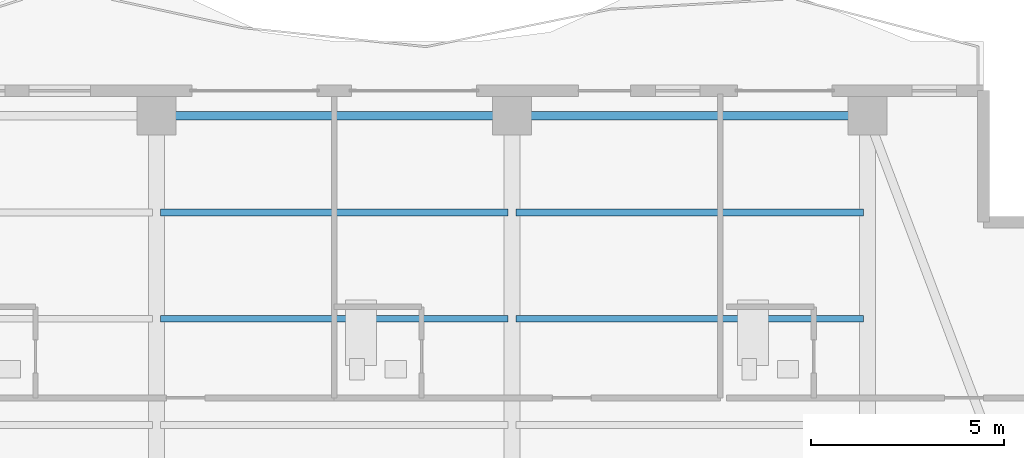
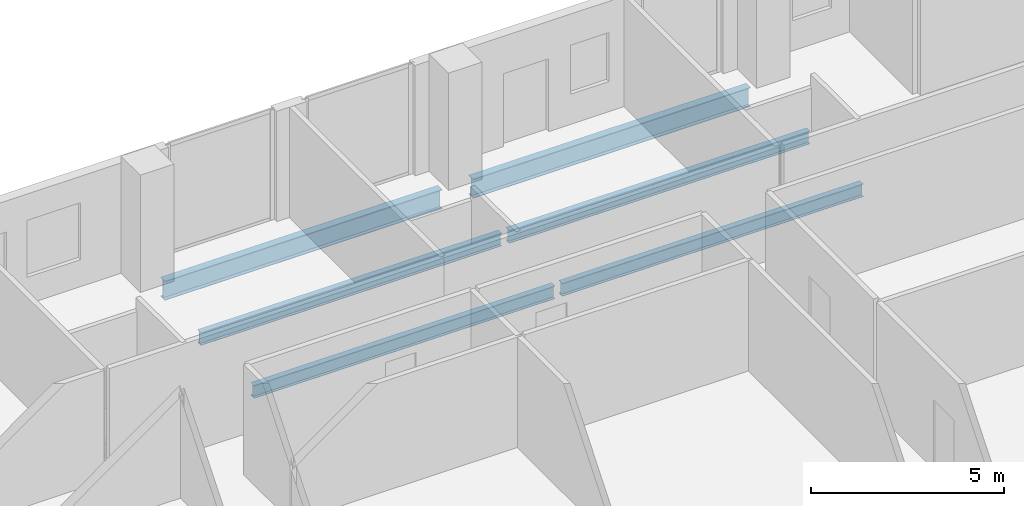
# One storey, part 14 of 25: 6 beams.
"""IFC4 building model written with IfcOpenShell, lengths in metres."""

import ifcopenshell
import ifcopenshell.guid

model = None  # the IFC model being written
_history = None  # IfcOwnerHistory: only IFC2X3 demands one
_inside = {}  # id of a spatial element -> (the spatial element, [elements in it])
_under = {}  # id of a project, library or spatial element -> (it, [spatial elements below it])
_declared = {}  # id of a project -> (the project, [libraries it declares])
_typed = {}  # id of a type object -> (the type object, [elements of that type])
_made_of = {}  # id of a material, layer set ... -> (it, [elements and type objects made of it])


def new_model(schema):
    """Start an empty IFC model of exactly this schema.

    Asked for "IFC4X3", IfcOpenShell would pick the latest addendum, in which some entities
    have other attributes; the version numbers below select the first issue.
    IFC2X3 requires an IfcOwnerHistory on every rooted entity: one is made here for all.
    """
    global model, _history
    if schema == "IFC4X3":
        model = ifcopenshell.file(schema_version=(4, 3, 0, 0))
    else:
        model = ifcopenshell.file(schema=schema)
    _inside.clear()
    _under.clear()
    _declared.clear()
    _typed.clear()
    _made_of.clear()
    _history = None
    if model.schema == "IFC2X3":
        org = make("IfcOrganization", Name="unknown")
        user = make(
            "IfcPersonAndOrganization",
            ThePerson=make("IfcPerson", FamilyName="unknown"),
            TheOrganization=org,
        )
        app = make(
            "IfcApplication",
            ApplicationDeveloper=org,
            Version="unknown",
            ApplicationFullName="unknown",
            ApplicationIdentifier="unknown",
        )
        _history = make(
            "IfcOwnerHistory",
            OwningUser=user,
            OwningApplication=app,
            ChangeAction="ADDED",
            CreationDate=0,
        )
    return model


def make(cls, **values):
    """One entity of the class cls with the attributes given. An attribute that is None is left unset."""
    return model.create_entity(
        cls, **{name: value for name, value in values.items() if value is not None}
    )


def rooted(cls, **values):
    """An entity with a GlobalId (a new one), such as an element, a storey or a relation."""
    return make(cls, GlobalId=ifcopenshell.guid.new(), OwnerHistory=_history, **values)


def si_unit(unit_type, name, prefix=None):
    """IfcSIUnit, for example si_unit("LENGTHUNIT", "METRE", prefix="MILLI")."""
    return make("IfcSIUnit", UnitType=unit_type, Prefix=prefix, Name=name)


def assignment(units):
    """IfcUnitAssignment: the units of a project."""
    return None if units is None else make("IfcUnitAssignment", Units=units)


def point(xyz):
    """IfcCartesianPoint."""
    return None if xyz is None else make("IfcCartesianPoint", Coordinates=xyz)


def direction(xyz):
    """IfcDirection."""
    return None if xyz is None else make("IfcDirection", DirectionRatios=xyz)


def frame(location, z_axis=None, x_axis=None):
    """IfcAxis2Placement3D, a coordinate frame: its origin and axes. An axis left out is left unset."""
    return make(
        "IfcAxis2Placement3D",
        Location=point(location),
        Axis=direction(z_axis),
        RefDirection=direction(x_axis),
    )


def frame_2d(location, x_axis=None):
    """IfcAxis2Placement2D, a coordinate frame in the plane: its origin and x axis."""
    return make(
        "IfcAxis2Placement2D", Location=point(location), RefDirection=direction(x_axis)
    )


def origin():
    """The frame at (0, 0, 0) with its axes left unset."""
    return frame((0.0, 0.0, 0.0))


def origin_2d():
    """The frame at (0, 0) in the plane with its x axis left unset."""
    return frame_2d((0.0, 0.0))


def place(relative_to, where):
    """IfcLocalPlacement: puts the frame where relative to a parent placement (None: the world)."""
    return make(
        "IfcLocalPlacement", PlacementRelTo=relative_to, RelativePlacement=where
    )


def context(
    kind, dimensions, precision=None, world=None, true_north=None, identifier=None
):
    """IfcGeometricRepresentationContext, for example the 3D "Model" context."""
    return make(
        "IfcGeometricRepresentationContext",
        ContextIdentifier=identifier,
        ContextType=kind,
        CoordinateSpaceDimension=dimensions,
        Precision=precision,
        WorldCoordinateSystem=world,
        TrueNorth=true_north,
    )


def subcontext(parent, identifier, kind, view, scale=None):
    """IfcGeometricRepresentationSubContext, for example "Body" below "Model"."""
    return make(
        "IfcGeometricRepresentationSubContext",
        ContextIdentifier=identifier,
        ContextType=kind,
        ParentContext=parent,
        TargetScale=scale,
        TargetView=view,
    )


def project(units=None, contexts=None):
    """IfcProject with its units and contexts."""
    return rooted(
        "IfcProject",
        Name="project",
        RepresentationContexts=contexts,
        UnitsInContext=assignment(units),
    )


def spatial(cls, under=None, at=None, **own):
    """A site, building, storey or space (cls), placed at a placement, below another one or the project."""
    s = rooted(cls, ObjectPlacement=at, **own)
    if under is not None:
        _under.setdefault(under.id(), (under, []))[1].append(s)
    return s


def profile(cls, at=None, kind="AREA", **sizes):
    """A parametric profile (cls). Its sizes go by their IFC names, for example OverallWidth=200.0."""
    return make(cls, ProfileType=kind, Position=at, **sizes)


def i_section(**sizes):
    """IfcIShapeProfileDef."""
    return profile("IfcIShapeProfileDef", **sizes)


def extrude(swept, where, along, depth):
    """IfcExtrudedAreaSolid: the profile swept, set in the frame where, extruded along a direction by depth."""
    return make(
        "IfcExtrudedAreaSolid",
        SweptArea=swept,
        Position=where,
        ExtrudedDirection=direction(along),
        Depth=depth,
    )


def shape(context_of_items, identifier, shape_type, items):
    """IfcShapeRepresentation: the items that make up one representation, for example the "Body"."""
    return make(
        "IfcShapeRepresentation",
        ContextOfItems=context_of_items,
        RepresentationIdentifier=identifier,
        RepresentationType=shape_type,
        Items=items,
    )


def material(Name=None, Category=None):
    """IfcMaterial."""
    return make("IfcMaterial", Name=Name, Category=Category)


def material_profile(
    of_material, cross_section, Name=None, Category=None, Priority=None
):
    """IfcMaterialProfile: a cross section and its material."""
    return make(
        "IfcMaterialProfile",
        Name=Name,
        Material=of_material,
        Profile=cross_section,
        Priority=Priority,
        Category=Category,
    )


def profile_set(profiles, Name=None, composite=None):
    """IfcMaterialProfileSet."""
    return make(
        "IfcMaterialProfileSet",
        Name=Name,
        MaterialProfiles=profiles,
        CompositeProfile=composite,
    )


def made_of(thing, what):
    """Note that an element or type object is made of a material, layer set ...; save() writes the relation."""
    if what is not None:
        _made_of.setdefault(what.id(), (what, []))[1].append(thing)
    return thing


def type_object(cls, material=None, **own):
    """A type object (cls), such as IfcWallType, which elements share."""
    return made_of(rooted(cls, **own), material)


def element(
    cls,
    number,
    at=None,
    inside=None,
    cuts=None,
    type_object=None,
    material=None,
    context=None,
    identifier="Body",
    shape_type=None,
    held_by="IfcProductDefinitionShape",
    body=None,
    shapes=None,
    **own,
):
    """One element of the class cls, such as IfcWall. Its Tag is "e" and its number.

    at: its placement. inside: the storey or other place that contains it. cuts: it is an
    opening in that element (IfcRelVoidsElement). A single representation is given by context,
    identifier, shape_type and body (its items); several are given by shapes. held_by: the class
    of the entity that holds the representations. save() writes the other relations.
    """
    e = rooted(cls, Tag="e%d" % number, ObjectPlacement=at, **own)
    if body is not None:
        shapes = [shape(context, identifier, shape_type, body)]
    if shapes is not None:
        e.Representation = make(held_by, Representations=shapes)
    if inside is not None:
        _inside.setdefault(inside.id(), (inside, []))[1].append(e)
    if cuts is not None:
        rooted(
            "IfcRelVoidsElement", RelatingBuildingElement=cuts, RelatedOpeningElement=e
        )
    if type_object is not None:
        _typed.setdefault(type_object.id(), (type_object, []))[1].append(e)
    return made_of(e, material)


def aggregate(whole, parts):
    """IfcRelAggregates: a whole, such as a stair, and the parts it consists of."""
    return rooted("IfcRelAggregates", RelatingObject=whole, RelatedObjects=parts)


def save(model, path):
    """Write the relations noted so far, then the file.

    IfcRelAggregates (storeys below a building ...), IfcRelContainedInSpatialStructure (elements
    in a storey), IfcRelDefinesByType, IfcRelAssociatesMaterial and IfcRelDeclares: one each for
    every whole, place, type object, material and project.
    """
    for whole, parts in _under.values():
        aggregate(whole, parts)
    for where, things in _inside.values():
        rooted(
            "IfcRelContainedInSpatialStructure",
            RelatedElements=things,
            RelatingStructure=where,
        )
    for kind, things in _typed.values():
        rooted("IfcRelDefinesByType", RelatedObjects=things, RelatingType=kind)
    for what, things in _made_of.values():
        rooted("IfcRelAssociatesMaterial", RelatedObjects=things, RelatingMaterial=what)
    for by, libraries in _declared.values():
        rooted("IfcRelDeclares", RelatingContext=by, RelatedDefinitions=libraries)
    model.write(path)


model = new_model("IFC4")

# Units and contexts
model_context = context("Model", 3, precision=1e-05, world=origin(), true_north=direction((0.0, 1.0)))
body_context = subcontext(model_context, "Body", "Model", "MODEL_VIEW")
ifc_project = project(units=[si_unit("LENGTHUNIT", "METRE"), si_unit("AREAUNIT", "SQUARE_METRE"), si_unit("VOLUMEUNIT", "CUBIC_METRE"), si_unit("PLANEANGLEUNIT", "RADIAN"), si_unit("MASSUNIT", "GRAM", prefix="KILO")], contexts=[model_context])

# Site, building, storey
site_placement = place(None, origin())
site = spatial("IfcSite", under=ifc_project, at=site_placement, CompositionType="ELEMENT")
building_placement = place(site_placement, origin())
building = spatial("IfcBuilding", under=site, at=building_placement, Name="Zuhayl Quay Hotel", CompositionType="ELEMENT")
storey_placement = place(building_placement, frame((0.0, 0.0, 258.14990234375)))
storey = spatial("IfcBuildingStorey", under=building, at=storey_placement, Name="L65", CompositionType="ELEMENT", Elevation=258.14990234375)

# Beams
ifc_material = material(Name="Steel ASTM A992 Grade 50", Category="steel")
ifc_material_profile_1 = material_profile(ifc_material, i_section(OverallWidth=0.22802734375, OverallDepth=0.60693359375, WebThickness=0.01123046875, FlangeThickness=0.017333984375, at=origin_2d()), Name="W24X76")
ifc_profile_set_1 = profile_set([ifc_material_profile_1], Name="Steel ASTM A992 Grade 50")
beam_type_1 = type_object("IfcBeamType", Name="BM_B3_W24X76", PredefinedType="BEAM", material=ifc_profile_set_1)
beam_1_placement = place(storey_placement, frame((13.340087890625, 38.35009765625, -0.5234375), z_axis=(-1.0, 0.0, 0.0), x_axis=(0.0, -1.0, 0.0)))
element("IfcBeam", 1, at=beam_1_placement, inside=storey, type_object=beam_type_1, Name="L65 Floor Beam RG_L65_07", PredefinedType="BEAM", context=body_context, shape_type="SweptSolid", body=[
    extrude(i_section(OverallWidth=0.22802734375, OverallDepth=0.60693359375, WebThickness=0.01123046875, FlangeThickness=0.017333984375, at=origin_2d()), origin(), (0.0, 0.0, 1.0), 8.280029296875),
])
beam_2_placement = place(storey_placement, frame((4.139892578125, 38.35009765625, -0.5234375), z_axis=(-1.0, 0.0, 0.0), x_axis=(0.0, -1.0, 0.0)))
element("IfcBeam", 2, at=beam_2_placement, inside=storey, type_object=beam_type_1, Name="L65 Floor Beam RG_L65_08", PredefinedType="BEAM", context=body_context, shape_type="SweptSolid", body=[
    extrude(i_section(OverallWidth=0.22802734375, OverallDepth=0.60693359375, WebThickness=0.01123046875, FlangeThickness=0.017333984375, at=origin_2d()), origin(), (0.0, 0.0, 1.0), 8.27978515625),
])
ifc_material_profile_2 = material_profile(ifc_material, i_section(OverallWidth=0.177978515625, OverallDepth=0.404052734375, WebThickness=0.007568359375, FlangeThickness=0.010986328125, at=origin_2d()), Name="W16X36")
ifc_profile_set_2 = profile_set([ifc_material_profile_2], Name="Steel ASTM A992 Grade 50")
beam_type_2 = type_object("IfcBeamType", Name="BM_J3_W16X36", PredefinedType="JOIST", material=ifc_profile_set_2)
beam_3_placement = place(storey_placement, frame((-4.493896484375, 33.10009765625, -0.421875), z_axis=(1.0, 0.0, 0.0), x_axis=(0.0, 1.0, 0.0)))
element("IfcBeam", 3, at=beam_3_placement, inside=storey, type_object=beam_type_2, Name="L65 Floor Beam FJ_L65_7_2", PredefinedType="JOIST", context=body_context, shape_type="SweptSolid", body=[
    extrude(i_section(OverallWidth=0.177978515625, OverallDepth=0.404052734375, WebThickness=0.007568359375, FlangeThickness=0.010986328125, at=origin_2d()), origin(), (0.0, 0.0, 1.0), 8.98779296875),
])
beam_4_placement = place(storey_placement, frame((4.7060546875, 33.10009765625, -0.421875), z_axis=(1.0, 0.0, 0.0), x_axis=(0.0, 1.0, 0.0)))
element("IfcBeam", 4, at=beam_4_placement, inside=storey, type_object=beam_type_2, Name="L65 Floor Beam FJ_L65_7_3", PredefinedType="JOIST", context=body_context, shape_type="SweptSolid", body=[
    extrude(i_section(OverallWidth=0.177978515625, OverallDepth=0.404052734375, WebThickness=0.007568359375, FlangeThickness=0.010986328125, at=origin_2d()), origin(), (0.0, 0.0, 1.0), 8.988037109375),
])
beam_5_placement = place(storey_placement, frame((-4.493896484375, 35.85009765625, -0.421875), z_axis=(1.0, 0.0, 0.0), x_axis=(0.0, 1.0, 0.0)))
element("IfcBeam", 5, at=beam_5_placement, inside=storey, type_object=beam_type_2, Name="L65 Floor Beam FJ_L65_8_2", PredefinedType="JOIST", context=body_context, shape_type="SweptSolid", body=[
    extrude(i_section(OverallWidth=0.177978515625, OverallDepth=0.404052734375, WebThickness=0.007568359375, FlangeThickness=0.010986328125, at=origin_2d()), origin(), (0.0, 0.0, 1.0), 8.98779296875),
])
beam_6_placement = place(storey_placement, frame((4.7060546875, 35.85009765625, -0.421875), z_axis=(1.0, 0.0, 0.0), x_axis=(0.0, 1.0, 0.0)))
element("IfcBeam", 6, at=beam_6_placement, inside=storey, type_object=beam_type_2, Name="L65 Floor Beam FJ_L65_8_3", PredefinedType="JOIST", context=body_context, shape_type="SweptSolid", body=[
    extrude(i_section(OverallWidth=0.177978515625, OverallDepth=0.404052734375, WebThickness=0.007568359375, FlangeThickness=0.010986328125, at=origin_2d()), origin(), (0.0, 0.0, 1.0), 8.988037109375),
])

save(model, "model.ifc")
